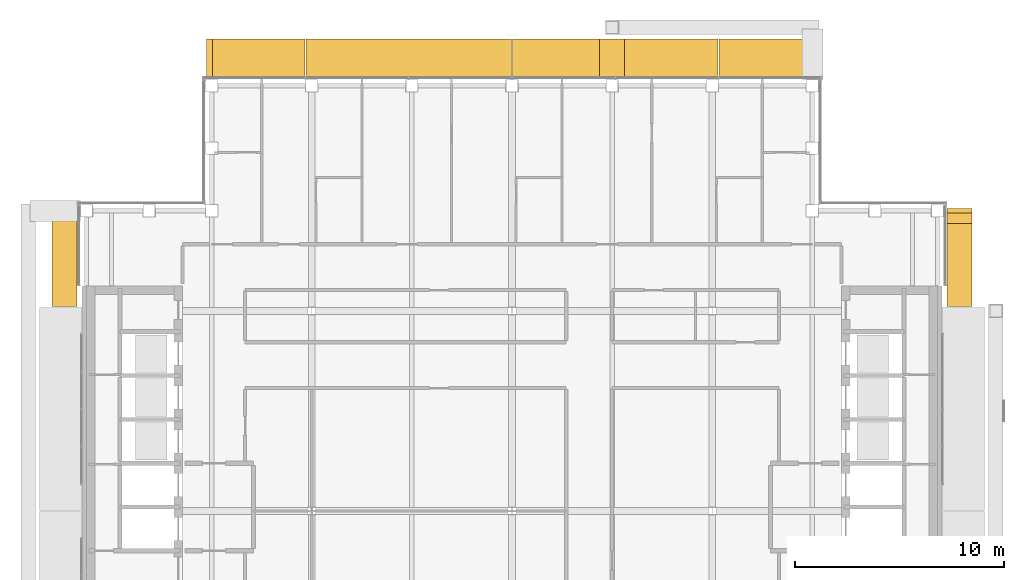
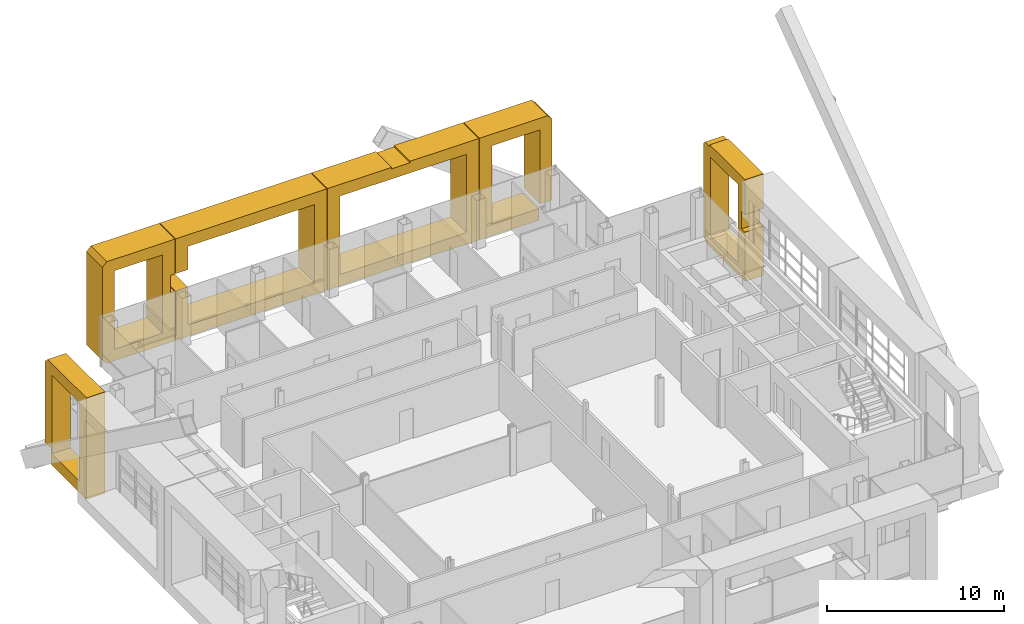
# One storey, part 22 of 23: 6 coverings.
"""IFC4 building model written with IfcOpenShell, lengths in metres."""

from ifc_helpers import new_model, si_unit, direction, frame, origin, place, context, subcontext, project, spatial, polyline, outline, extrude, material, type_object, element, save


model = new_model("IFC4")

# Units and contexts
model_context = context("Model", 3, precision=1e-05, world=origin(), true_north=direction((0.0, 1.0)))
body_context = subcontext(model_context, "Body", "Model", "MODEL_VIEW")
ifc_project = project(units=[si_unit("LENGTHUNIT", "METRE"), si_unit("AREAUNIT", "SQUARE_METRE"), si_unit("VOLUMEUNIT", "CUBIC_METRE"), si_unit("PLANEANGLEUNIT", "RADIAN"), si_unit("MASSUNIT", "GRAM", prefix="KILO")], contexts=[model_context])

# Site, building, storey
site_placement = place(None, origin())
site = spatial("IfcSite", under=ifc_project, at=site_placement, CompositionType="ELEMENT")
building_placement = place(site_placement, origin())
building = spatial("IfcBuilding", under=site, at=building_placement, Name="Cobrizo Arcos Hotel Tower", CompositionType="ELEMENT")
storey_placement = place(building_placement, frame((0.0, 0.0, 255.0)))
storey = spatial("IfcBuildingStorey", under=building, at=storey_placement, Name="L67", CompositionType="ELEMENT", Elevation=255.0)

# Coverings
ifc_material = material(Name="Aluminium 6063-T6 anodised bronze", Category="aluminium")
covering_type_1 = type_object("IfcCoveringType", Name="FIN-F 1200", PredefinedType="CLADDING", material=ifc_material)
covering_1_placement = place(storey_placement, frame((20.85009765625, 9.824951171875, 0.0), z_axis=(1.0, 0.0, 0.0), x_axis=(0.0, 1.0, 0.0)))
element("IfcCovering", 1, at=covering_1_placement, inside=storey, type_object=covering_type_1, Name="Fin frame 390", PredefinedType="CLADDING", context=body_context, shape_type="SweptSolid", body=[
    extrude(outline(polyline([(4.675048828125, 6.699951171875), (4.47705078125, 6.89794921875), (3.972900390625, 6.89794921875), (3.972900390625, 7.0), (0.0, 7.0), (0.0, 4.60205078125), (0.376953125, 4.60205078125), (0.376953125, 3.39794921875), (0.0, 3.39794921875), (0.0, 0.0), (4.375, 0.0), (4.675048828125, 0.300048828125), (4.675048828125, 6.699951171875)]), holes=[polyline([(3.875, 0.800048828125), (0.800048828125, 0.800048828125), (0.800048828125, 6.199951171875), (3.875, 6.199951171875), (3.875, 0.800048828125)])]), origin(), (0.0, 0.0, 1.0), 1.199951171875),
])
covering_2_placement = place(storey_placement, frame((-20.85009765625, 14.5, 0.0), z_axis=(-1.0, 0.0, 0.0), x_axis=(0.0, -1.0, 0.0)))
element("IfcCovering", 2, at=covering_2_placement, inside=storey, type_object=covering_type_1, Name="Fin frame 431", PredefinedType="CLADDING", context=body_context, shape_type="SweptSolid", body=[
    extrude(outline(polyline([(0.0, 6.699951171875), (0.0, 1.10205078125), (0.701904296875, 1.10205078125), (0.701904296875, 0.0), (4.675048828125, 0.0), (4.675048828125, 7.0), (0.300048828125, 7.0), (0.0, 6.699951171875)]), holes=[polyline([(3.875, 0.800048828125), (0.800048828125, 0.800048828125), (0.800048828125, 6.199951171875), (3.875, 6.199951171875), (3.875, 0.800048828125)])]), origin(), (0.0, 0.0, 1.0), 1.199951171875),
])
covering_type_2 = type_object("IfcCoveringType", Name="FIN-F 1800", PredefinedType="CLADDING", material=ifc_material)
covering_3_placement = place(storey_placement, frame((14.64990234375, 20.85009765625, 0.0), z_axis=(0.0, 1.0, 0.0), x_axis=(-1.0, 0.0, 0.0)))
element("IfcCovering", 3, at=covering_3_placement, inside=storey, type_object=covering_type_2, Name="Fin frame 371", PredefinedType="CLADDING", context=body_context, shape_type="SweptSolid", body=[
    extrude(outline(polyline([(0.0, 6.699951171875), (0.0, 1.10205078125), (0.800048828125, 1.10205078125), (0.800048828125, 6.199951171875), (3.925048828125, 6.199951171875), (3.925048828125, 0.800048828125), (0.85205078125, 0.800048828125), (0.85205078125, 0.0), (4.72509765625, 0.0), (4.72509765625, 7.0), (0.300048828125, 7.0), (0.0, 6.699951171875)])), origin(), (0.0, 0.0, 1.0), 1.7998046875),
])
covering_4_placement = place(storey_placement, frame((9.875, 20.85009765625, 0.0), z_axis=(0.0, 1.0, 0.0), x_axis=(-1.0, 0.0, 0.0)))
element("IfcCovering", 4, at=covering_4_placement, inside=storey, type_object=covering_type_2, Name="Fin frame 372", PredefinedType="CLADDING", context=body_context, shape_type="SweptSolid", body=[
    extrude(outline(polyline([(9.85009765625, 7.0), (5.677001953125, 7.0), (5.677001953125, 6.89794921875), (4.472900390625, 6.89794921875), (4.472900390625, 7.0), (0.0, 7.0), (0.0, 0.0), (9.85009765625, 0.0), (9.85009765625, 7.0)]), holes=[polyline([(9.050048828125, 0.800048828125), (0.800048828125, 0.800048828125), (0.800048828125, 6.199951171875), (9.050048828125, 6.199951171875), (9.050048828125, 0.800048828125)])]), origin(), (0.0, 0.0, 1.0), 1.7998046875),
])
covering_5_placement = place(storey_placement, frame((-0.02490234375, 20.85009765625, 0.0), z_axis=(0.0, 1.0, 0.0), x_axis=(-1.0, 0.0, 0.0)))
element("IfcCovering", 5, at=covering_5_placement, inside=storey, type_object=covering_type_2, Name="Fin frame 373", PredefinedType="CLADDING", context=body_context, shape_type="SweptSolid", body=[
    extrude(outline(polyline([(9.85009765625, 0.0), (9.85009765625, 3.39794921875), (9.050048828125, 3.39794921875), (9.050048828125, 0.800048828125), (0.800048828125, 0.800048828125), (0.800048828125, 6.199951171875), (9.050048828125, 6.199951171875), (9.050048828125, 4.60205078125), (9.85009765625, 4.60205078125), (9.85009765625, 7.0), (0.0, 7.0), (0.0, 0.0), (9.85009765625, 0.0)])), origin(), (0.0, 0.0, 1.0), 1.7998046875),
])
covering_6_placement = place(storey_placement, frame((-9.925048828125, 20.85009765625, 0.0), z_axis=(0.0, 1.0, 0.0), x_axis=(-1.0, 0.0, 0.0)))
element("IfcCovering", 6, at=covering_6_placement, inside=storey, type_object=covering_type_2, Name="Fin frame 374", PredefinedType="CLADDING", context=body_context, shape_type="SweptSolid", body=[
    extrude(outline(polyline([(0.0, 7.0), (0.0, 4.60205078125), (0.277099609375, 4.60205078125), (0.277099609375, 3.39794921875), (0.0, 3.39794921875), (0.0, 0.0), (4.425048828125, 0.0), (4.72509765625, 0.300048828125), (4.72509765625, 6.699951171875), (4.425048828125, 7.0), (0.0, 7.0)]), holes=[polyline([(3.925048828125, 0.800048828125), (0.800048828125, 0.800048828125), (0.800048828125, 6.199951171875), (3.925048828125, 6.199951171875), (3.925048828125, 0.800048828125)])]), origin(), (0.0, 0.0, 1.0), 1.7998046875),
])

save(model, "model.ifc")
